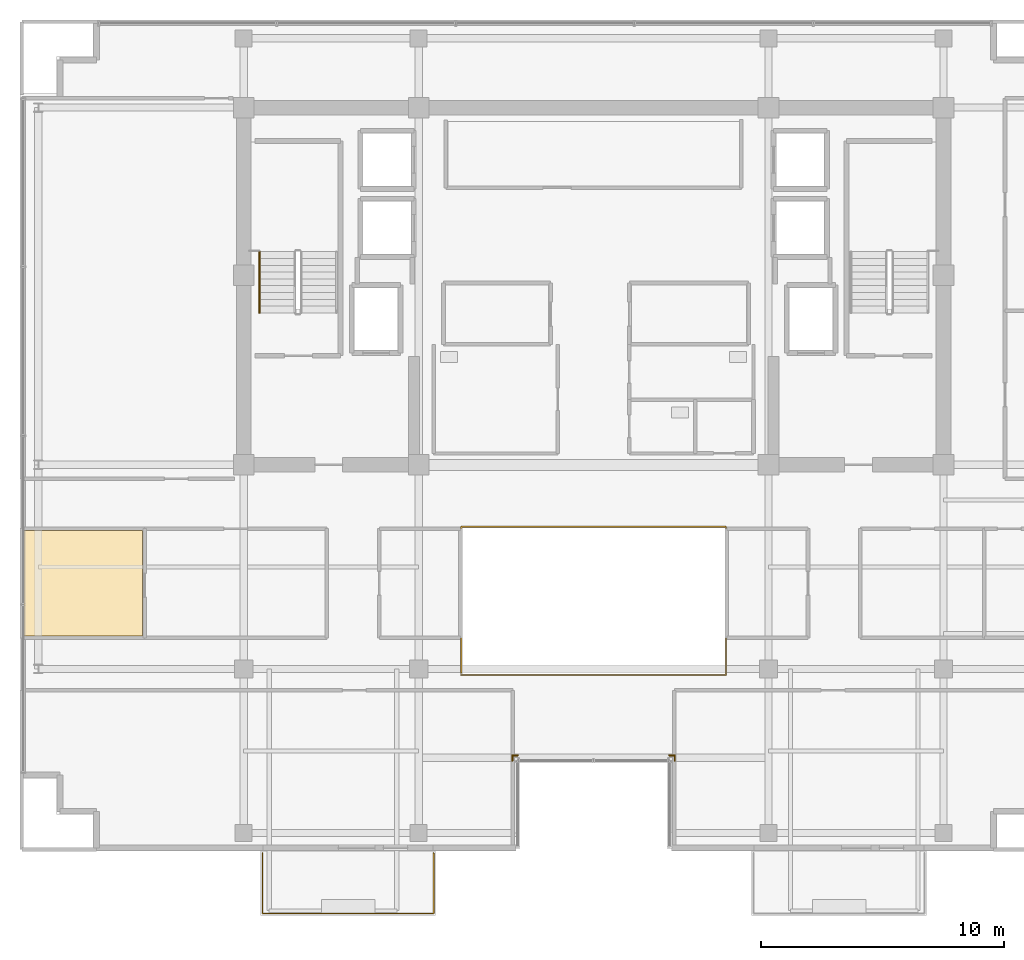
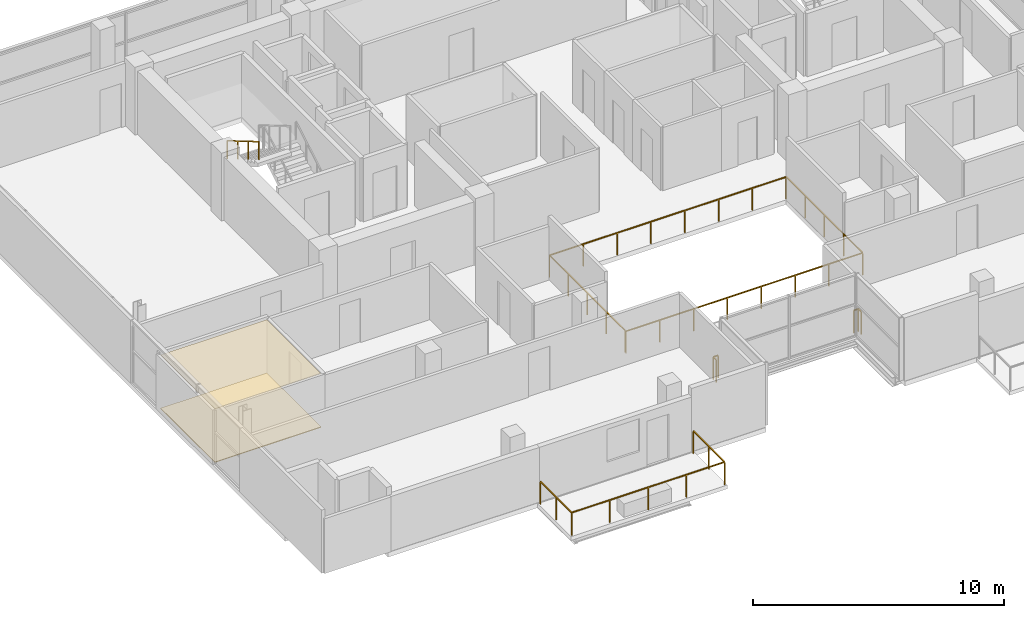
# One storey, part 20 of 23: 7 railings, 2 coverings.
"""IFC4 building model written with IfcOpenShell, lengths in metres."""

from ifc_helpers import new_model, si_unit, direction, frame, origin, origin_2d, place, context, subcontext, project, spatial, polyline, rectangle, outline, extrude, material, layer, layer_set, type_object, element, save


model = new_model("IFC4")

# Units and contexts
model_context = context("Model", 3, precision=1e-05, world=origin(), true_north=direction((0.0, 1.0)))
body_context = subcontext(model_context, "Body", "Model", "MODEL_VIEW")
ifc_project = project(units=[si_unit("LENGTHUNIT", "METRE"), si_unit("AREAUNIT", "SQUARE_METRE"), si_unit("VOLUMEUNIT", "CUBIC_METRE"), si_unit("PLANEANGLEUNIT", "RADIAN"), si_unit("MASSUNIT", "GRAM", prefix="KILO")], contexts=[model_context])

# Site, building, storey
site_placement = place(None, origin())
site = spatial("IfcSite", under=ifc_project, at=site_placement, CompositionType="ELEMENT")
building_placement = place(site_placement, origin())
building = spatial("IfcBuilding", under=site, at=building_placement, Name="Zarnakvel Exchange Tower", CompositionType="ELEMENT")
storey_placement = place(building_placement, frame((0.0, 0.0, 212.199951171875)))
storey = spatial("IfcBuildingStorey", under=building, at=storey_placement, Name="L59", CompositionType="ELEMENT", Elevation=212.199951171875)

# Coverings
ifc_material_1 = material(Name="Perforated Bronze Acoustic Metal Ceiling", Category="aluminium")
ifc_layer_1 = layer(ifc_material_1, 0.02001953125)
ifc_layer_set_1 = layer_set([ifc_layer_1], Name="Perforated Bronze Acoustic Metal Ceiling")
covering_type_1 = type_object("IfcCoveringType", Name="CLG-01", PredefinedType="CEILING", material=ifc_layer_set_1)
covering_1_placement = place(storey_placement, frame((0.0, 0.0, 2.60498046875)))
element("IfcCovering", 1, at=covering_1_placement, inside=storey, type_object=covering_type_1, Name="L59 Suspended Acoustic Ceiling (Institutional Dealing Room)", PredefinedType="CEILING", context=body_context, shape_type="SweptSolid", body=[
    extrude(outline(polyline([(-23.449951171875, -3.909912109375), (-18.55810546875, -3.909912109375), (-18.55810546875, -8.239990234375), (-23.449951171875, -8.239990234375), (-23.449951171875, -3.909912109375)])), origin(), (0.0, 0.0, 1.0), 0.02001953125),
])
ifc_material_2 = material(Name="Heavy-Duty Raised Access Floor Panel", Category="steel")
ifc_layer_2 = layer(ifc_material_2, 0.034912109375)
ifc_layer_set_2 = layer_set([ifc_layer_2], Name="Heavy-Duty Raised Access Floor Panel")
covering_type_2 = type_object("IfcCoveringType", Name="FLR-02", PredefinedType="FLOORING", material=ifc_layer_set_2)
covering_2_placement = place(storey_placement, origin())
element("IfcCovering", 2, at=covering_2_placement, inside=storey, type_object=covering_type_2, Name="L59 Floor Finish (Institutional Dealing Room)", PredefinedType="FLOORING", context=body_context, shape_type="SweptSolid", body=[
    extrude(outline(polyline([(-23.449951171875, -3.909912109375), (-18.55810546875, -3.909912109375), (-18.55810546875, -8.239990234375), (-23.449951171875, -8.239990234375), (-23.449951171875, -3.909912109375)])), origin(), (0.0, 0.0, 1.0), 0.03515625),
])

# Railings
ifc_material_3 = material(Name="Architectural Bronze Anodised Aluminium", Category="aluminium")
railing_type_1 = type_object("IfcRailingType", Name="GR-02", PredefinedType="GUARDRAIL", material=ifc_material_3)
railing_1_placement = place(storey_placement, frame((-13.6201171875, -17.179931640625, -0.034912109375)))
element("IfcRailing", 3, at=railing_1_placement, inside=storey, type_object=railing_type_1, Name="L59 Balcony Guardrail BAL-L59-SW", PredefinedType="GUARDRAIL", context=body_context, shape_type="SweptSolid", body=[
    extrude(rectangle(XDim=0.048095703125, YDim=0.048095703125, at=origin_2d()), frame((0.0, 0.0, 1.09619140625), z_axis=(0.0, -1.0, 0.0), x_axis=(1.0, 0.0, 0.0)), (0.0, 0.0, 1.0), 2.489990234375),
    extrude(rectangle(XDim=0.048095703125, YDim=0.048095703125, at=origin_2d()), frame((0.0, -2.489990234375, 1.09619140625), z_axis=(1.0, 0.0, 0.0), x_axis=(0.0, 1.0, 0.0)), (0.0, 0.0, 1.0), 7.0400390625),
    extrude(rectangle(XDim=0.048095703125, YDim=0.048095703125, at=origin_2d()), frame((7.0400390625, -2.489990234375, 1.09619140625), z_axis=(0.0, 1.0, 0.0), x_axis=(-1.0, 0.0, 0.0)), (0.0, 0.0, 1.0), 2.489990234375),
    extrude(rectangle(XDim=0.0419921875, YDim=0.0419921875, at=origin_2d()), origin(), (0.0, 0.0, 1.0), 1.072021484375),
    extrude(rectangle(XDim=0.0419921875, YDim=0.0419921875, at=origin_2d()), frame((0.0, -1.2451171875, 0.0)), (0.0, 0.0, 1.0), 1.072021484375),
    extrude(rectangle(XDim=0.0419921875, YDim=0.0419921875, at=origin_2d()), frame((0.0, -2.489990234375, 0.0)), (0.0, 0.0, 1.0), 1.072021484375),
    extrude(rectangle(XDim=0.0419921875, YDim=0.0419921875, at=origin_2d()), frame((1.760009765625, -2.489990234375, 0.0)), (0.0, 0.0, 1.0), 1.072021484375),
    extrude(rectangle(XDim=0.0419921875, YDim=0.0419921875, at=origin_2d()), frame((3.52001953125, -2.489990234375, 0.0)), (0.0, 0.0, 1.0), 1.072021484375),
    extrude(rectangle(XDim=0.0419921875, YDim=0.0419921875, at=origin_2d()), frame((5.280029296875, -2.489990234375, 0.0)), (0.0, 0.0, 1.0), 1.072021484375),
    extrude(rectangle(XDim=0.0419921875, YDim=0.0419921875, at=origin_2d()), frame((7.0400390625, -2.489990234375, 0.0)), (0.0, 0.0, 1.0), 1.072021484375),
    extrude(rectangle(XDim=0.0419921875, YDim=0.0419921875, at=origin_2d()), frame((7.0400390625, -1.2451171875, 0.0)), (0.0, 0.0, 1.0), 1.072021484375),
    extrude(rectangle(XDim=0.0419921875, YDim=0.0419921875, at=origin_2d()), frame((7.0400390625, 0.0, 0.0)), (0.0, 0.0, 1.0), 1.072021484375),
])
railing_2_placement = place(storey_placement, frame((3.340087890625, -13.3798828125, 0.0)))
element("IfcRailing", 4, at=railing_2_placement, inside=storey, type_object=railing_type_1, Name="L59 Corner Spandrel Balustrade #17", PredefinedType="GUARDRAIL", context=body_context, shape_type="SweptSolid", body=[
    extrude(rectangle(XDim=0.048095703125, YDim=0.048095703125, at=origin_2d()), frame((0.0, 0.0, 1.09619140625), z_axis=(0.0, 1.0, 0.0), x_axis=(-1.0, 0.0, 0.0)), (0.0, 0.0, 1.0), 0.219970703125),
    extrude(rectangle(XDim=0.0419921875, YDim=0.0419921875, at=origin_2d()), origin(), (0.0, 0.0, 1.0), 1.072021484375),
    extrude(rectangle(XDim=0.0419921875, YDim=0.0419921875, at=origin_2d()), frame((0.0, 0.219970703125, 0.0)), (0.0, 0.0, 1.0), 1.072021484375),
])
for number, where, name in (
    (5, (3.340087890625, -13.159912109375, 0.0), "L59 Corner Spandrel Balustrade #18"),
    (6, (-3.1201171875, -13.159912109375, 0.0), "L59 Corner Spandrel Balustrade #19"),
):
    element("IfcRailing", number, at=place(storey_placement, frame(where)), inside=storey, type_object=railing_type_1, Name=name, PredefinedType="GUARDRAIL", context=body_context, shape_type="SweptSolid", body=[
        extrude(rectangle(XDim=0.048095703125, YDim=0.048095703125, at=origin_2d()), frame((0.0, 0.0, 1.09619140625), z_axis=(-1.0, 0.0, 0.0), x_axis=(0.0, -1.0, 0.0)), (0.0, 0.0, 1.0), 0.219970703125),
        extrude(rectangle(XDim=0.0419921875, YDim=0.0419921875, at=origin_2d()), origin(), (0.0, 0.0, 1.0), 1.072021484375),
        extrude(rectangle(XDim=0.0419921875, YDim=0.0419921875, at=origin_2d()), frame((-0.219970703125, 0.0, 0.0)), (0.0, 0.0, 1.0), 1.072021484375),
    ])
railing_3_placement = place(storey_placement, frame((-3.340087890625, -13.159912109375, 0.0)))
element("IfcRailing", 7, at=railing_3_placement, inside=storey, type_object=railing_type_1, Name="L59 Corner Spandrel Balustrade #20", PredefinedType="GUARDRAIL", context=body_context, shape_type="SweptSolid", body=[
    extrude(rectangle(XDim=0.048095703125, YDim=0.048095703125, at=origin_2d()), frame((0.0, 0.0, 1.09619140625), z_axis=(0.0, -1.0, 0.0), x_axis=(1.0, 0.0, 0.0)), (0.0, 0.0, 1.0), 0.219970703125),
    extrude(rectangle(XDim=0.0419921875, YDim=0.0419921875, at=origin_2d()), origin(), (0.0, 0.0, 1.0), 1.072021484375),
    extrude(rectangle(XDim=0.0419921875, YDim=0.0419921875, at=origin_2d()), frame((0.0, -0.219970703125, 0.0)), (0.0, 0.0, 1.0), 1.072021484375),
])
railing_type_2 = type_object("IfcRailingType", Name="GR-03", PredefinedType="GUARDRAIL", material=ifc_material_3)
railing_4_placement = place(storey_placement, frame((-5.449951171875, -9.85009765625, 0.0)))
element("IfcRailing", 8, at=railing_4_placement, inside=storey, type_object=railing_type_2, Name="L59 Atrium Void Perimeter Balustrade", PredefinedType="GUARDRAIL", context=body_context, shape_type="SweptSolid", body=[
    extrude(rectangle(XDim=0.048095703125, YDim=0.048095703125, at=origin_2d()), frame((0.0, 0.0, 1.076171875), z_axis=(1.0, 0.0, 0.0), x_axis=(0.0, 1.0, 0.0)), (0.0, 0.0, 1.0), 10.89990234375),
    extrude(rectangle(XDim=0.048095703125, YDim=0.048095703125, at=origin_2d()), frame((10.89990234375, 0.0, 1.076171875), z_axis=(0.0, 1.0, 0.0), x_axis=(-1.0, 0.0, 0.0)), (0.0, 0.0, 1.0), 6.10009765625),
    extrude(rectangle(XDim=0.048095703125, YDim=0.048095703125, at=origin_2d()), frame((10.89990234375, 6.10009765625, 1.076171875), z_axis=(-1.0, 0.0, 0.0), x_axis=(0.0, -1.0, 0.0)), (0.0, 0.0, 1.0), 10.89990234375),
    extrude(rectangle(XDim=0.048095703125, YDim=0.048095703125, at=origin_2d()), frame((0.0, 6.10009765625, 1.076171875), z_axis=(0.0, -1.0, 0.0), x_axis=(1.0, 0.0, 0.0)), (0.0, 0.0, 1.0), 6.02001953125),
    extrude(rectangle(XDim=0.0419921875, YDim=0.0419921875, at=origin_2d()), origin(), (0.0, 0.0, 1.0), 1.052001953125),
    extrude(rectangle(XDim=0.0419921875, YDim=0.0419921875, at=origin_2d()), frame((1.55712890625, 0.0, 0.0)), (0.0, 0.0, 1.0), 1.052001953125),
    extrude(rectangle(XDim=0.0419921875, YDim=0.0419921875, at=origin_2d()), frame((3.1142578125, 0.0, 0.0)), (0.0, 0.0, 1.0), 1.052001953125),
    extrude(rectangle(XDim=0.0419921875, YDim=0.0419921875, at=origin_2d()), frame((4.67138671875, 0.0, 0.0)), (0.0, 0.0, 1.0), 1.052001953125),
    extrude(rectangle(XDim=0.0419921875, YDim=0.0419921875, at=origin_2d()), frame((6.228515625, 0.0, 0.0)), (0.0, 0.0, 1.0), 1.052001953125),
    extrude(rectangle(XDim=0.0419921875, YDim=0.0419921875, at=origin_2d()), frame((7.78564453125, 0.0, 0.0)), (0.0, 0.0, 1.0), 1.052001953125),
    extrude(rectangle(XDim=0.0419921875, YDim=0.0419921875, at=origin_2d()), frame((9.3427734375, 0.0, 0.0)), (0.0, 0.0, 1.0), 1.052001953125),
    extrude(rectangle(XDim=0.0419921875, YDim=0.0419921875, at=origin_2d()), frame((10.89990234375, 0.0, 0.0)), (0.0, 0.0, 1.0), 1.052001953125),
    extrude(rectangle(XDim=0.0419921875, YDim=0.0419921875, at=origin_2d()), frame((10.89990234375, 1.52490234375, 0.0)), (0.0, 0.0, 1.0), 1.052001953125),
    extrude(rectangle(XDim=0.0419921875, YDim=0.0419921875, at=origin_2d()), frame((10.89990234375, 3.050048828125, 0.0)), (0.0, 0.0, 1.0), 1.052001953125),
    extrude(rectangle(XDim=0.0419921875, YDim=0.0419921875, at=origin_2d()), frame((10.89990234375, 4.5751953125, 0.0)), (0.0, 0.0, 1.0), 1.052001953125),
    extrude(rectangle(XDim=0.0419921875, YDim=0.0419921875, at=origin_2d()), frame((10.89990234375, 6.10009765625, 0.0)), (0.0, 0.0, 1.0), 1.052001953125),
    extrude(rectangle(XDim=0.0419921875, YDim=0.0419921875, at=origin_2d()), frame((9.3427734375, 6.10009765625, 0.0)), (0.0, 0.0, 1.0), 1.052001953125),
    extrude(rectangle(XDim=0.0419921875, YDim=0.0419921875, at=origin_2d()), frame((7.78564453125, 6.10009765625, 0.0)), (0.0, 0.0, 1.0), 1.052001953125),
    extrude(rectangle(XDim=0.0419921875, YDim=0.0419921875, at=origin_2d()), frame((6.228515625, 6.10009765625, 0.0)), (0.0, 0.0, 1.0), 1.052001953125),
    extrude(rectangle(XDim=0.0419921875, YDim=0.0419921875, at=origin_2d()), frame((4.67138671875, 6.10009765625, 0.0)), (0.0, 0.0, 1.0), 1.052001953125),
    extrude(rectangle(XDim=0.0419921875, YDim=0.0419921875, at=origin_2d()), frame((3.1142578125, 6.10009765625, 0.0)), (0.0, 0.0, 1.0), 1.052001953125),
    extrude(rectangle(XDim=0.0419921875, YDim=0.0419921875, at=origin_2d()), frame((1.55712890625, 6.10009765625, 0.0)), (0.0, 0.0, 1.0), 1.052001953125),
    extrude(rectangle(XDim=0.0419921875, YDim=0.0419921875, at=origin_2d()), frame((0.0, 6.10009765625, 0.0)), (0.0, 0.0, 1.0), 1.052001953125),
    extrude(rectangle(XDim=0.0419921875, YDim=0.0419921875, at=origin_2d()), frame((0.0, 4.59521484375, 0.0)), (0.0, 0.0, 1.0), 1.052001953125),
    extrude(rectangle(XDim=0.0419921875, YDim=0.0419921875, at=origin_2d()), frame((0.0, 3.090087890625, 0.0)), (0.0, 0.0, 1.0), 1.052001953125),
    extrude(rectangle(XDim=0.0419921875, YDim=0.0419921875, at=origin_2d()), frame((0.0, 1.5849609375, 0.0)), (0.0, 0.0, 1.0), 1.052001953125),
    extrude(rectangle(XDim=0.0419921875, YDim=0.0419921875, at=origin_2d()), frame((0.0, 0.080078125, 0.0)), (0.0, 0.0, 1.0), 1.052001953125),
])
ifc_material_4 = material(Name="Brushed Stainless Steel", Category="steel")
railing_type_3 = type_object("IfcRailingType", Name="HR-01", PredefinedType="HANDRAIL", material=ifc_material_4)
railing_5_placement = place(storey_placement, frame((-13.75, 7.570068359375, 1.81494140625)))
element("IfcRailing", 9, at=railing_5_placement, inside=storey, type_object=railing_type_3, Name="L59 ST-01 stair handrail 2", PredefinedType="HANDRAIL", context=body_context, shape_type="SweptSolid", body=[
    extrude(rectangle(XDim=0.048095703125, YDim=0.048095703125, at=origin_2d()), frame((0.0, 0.0, 0.8759765625), z_axis=(0.0, -0.86152411907, 0.507716645641), x_axis=(1.0, 0.0, 0.0)), (0.0, 0.0, 1.0), 2.925048828125),
    extrude(rectangle(XDim=0.0419921875, YDim=0.0419921875, at=origin_2d()), origin(), (0.0, 0.0, 1.0), 0.851806640625),
    extrude(rectangle(XDim=0.0419921875, YDim=0.0419921875, at=origin_2d()), frame((0.0, -0.840087890625, 0.4951171875)), (0.0, 0.0, 1.0), 0.851806640625),
    extrude(rectangle(XDim=0.0419921875, YDim=0.0419921875, at=origin_2d()), frame((0.0, -1.679931640625, 0.989990234375)), (0.0, 0.0, 1.0), 0.851806640625),
    extrude(rectangle(XDim=0.0419921875, YDim=0.0419921875, at=origin_2d()), frame((0.0, -2.52001953125, 1.485107421875)), (0.0, 0.0, 1.0), 0.851806640625),
])

save(model, "model.ifc")
